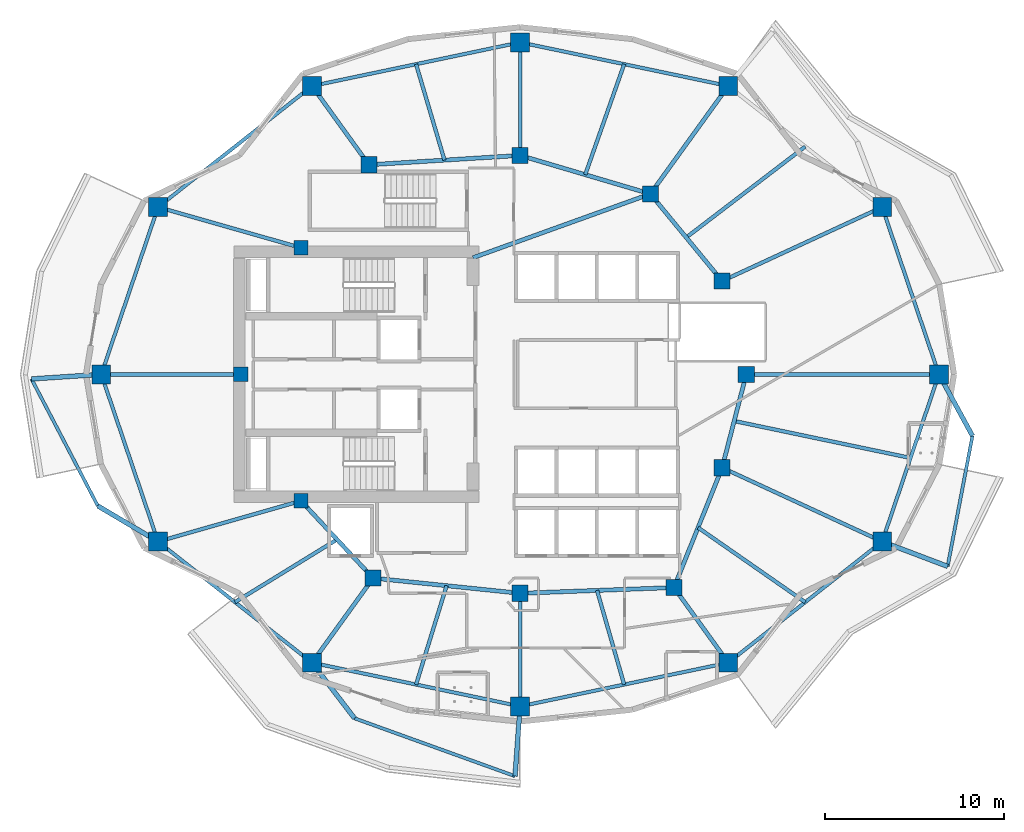
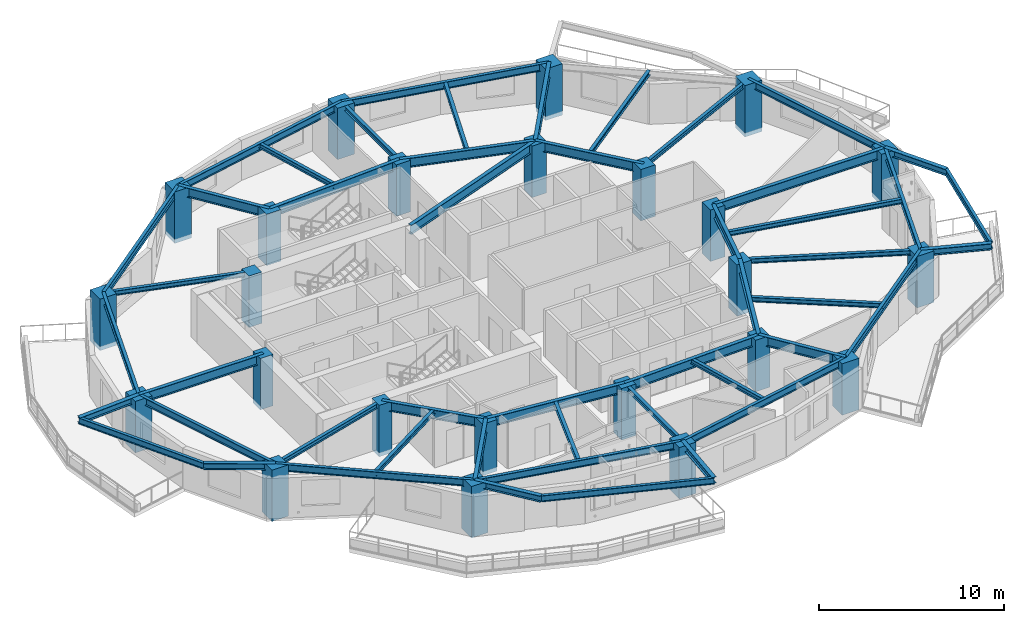
# One storey, part 1 of 14: 49 beams, 24 columns.
"""IFC4 building model written with IfcOpenShell, lengths in metres."""

from ifc_helpers import new_model, si_unit, direction, frame, origin, origin_2d, place, context, subcontext, project, spatial, rectangle, i_section, extrude, material, material_profile, profile_set, type_object, element, save


model = new_model("IFC4")

# Units and contexts
model_context = context("Model", 3, precision=1e-05, world=origin(), true_north=direction((0.0, 1.0)))
body_context = subcontext(model_context, "Body", "Model", "MODEL_VIEW")
ifc_project = project(units=[si_unit("LENGTHUNIT", "METRE"), si_unit("AREAUNIT", "SQUARE_METRE"), si_unit("VOLUMEUNIT", "CUBIC_METRE"), si_unit("PLANEANGLEUNIT", "RADIAN"), si_unit("MASSUNIT", "GRAM", prefix="KILO")], contexts=[model_context])

# Site, building, storey
site_placement = place(None, origin())
site = spatial("IfcSite", under=ifc_project, at=site_placement, CompositionType="ELEMENT")
building_placement = place(site_placement, origin())
building = spatial("IfcBuilding", under=site, at=building_placement, Name="Kolvaren Gate Tower and Convention Centre", CompositionType="ELEMENT")
storey_placement = place(building_placement, frame((0.0, 0.0, 105.300048828125)))
storey = spatial("IfcBuildingStorey", under=building, at=storey_placement, Name="L25", CompositionType="ELEMENT", Elevation=105.300048828125)

# Columns
ifc_material_1 = material(Name="Concrete C60/75", Category="concrete")
ifc_material_profile_1 = material_profile(ifc_material_1, rectangle(XDim=1.050048828125, YDim=1.050048828125, at=origin_2d()), Name="RC-COL-1050X1050")
ifc_profile_set_1 = profile_set([ifc_material_profile_1], Name="Concrete C60/75")
column_type_1 = type_object("IfcColumnType", Name="STR-COL-RC1050", PredefinedType="COLUMN", material=ifc_profile_set_1)
for number, where, z_axis, x_axis, name in (
    (1, (53.46240234375, 27.0, -0.27001953125), (0.0, 0.0, 1.0), (1.0, 0.0, 0.0), "Tower L25 Perimeter Supercolumn TP-01"),
    (2, (50.30029296875, 36.318603515625, -0.27001953125), (0.0, 0.0, 1.0), (1.0, 0.0, 0.0), "Tower L25 Perimeter Supercolumn TP-02"),
    (3, (41.721435546875, 43.068359375, -0.27001953125), (0.0, 0.0, 1.0), (1.0, 0.0, 0.0), "Tower L25 Perimeter Supercolumn TP-03"),
    (4, (30.125, 45.5, -0.27001953125), (0.0, 0.0, 1.0), (1.0, 0.0, 0.0), "Tower L25 Perimeter Supercolumn TP-04"),
    (5, (18.52880859375, 43.068359375, -0.27001953125), (0.0, 0.0, 1.0), (1.0, 0.0, 0.0), "Tower L25 Perimeter Supercolumn TP-05"),
    (6, (9.94970703125, 36.318603515625, -0.27001953125), (0.0, 0.0, 1.0), (1.0, 0.0, 0.0), "Tower L25 Perimeter Supercolumn TP-06"),
    (7, (6.78759765625, 27.0, -0.27001953125), (0.0, 0.0, 1.0), (1.0, 0.0, 0.0), "Tower L25 Perimeter Supercolumn TP-07"),
    (8, (9.94970703125, 17.681396484375, -0.27001953125), (0.0, 0.0, 1.0), (1.0, 0.0, 0.0), "Tower L25 Perimeter Supercolumn TP-08"),
    (9, (18.528564453125, 10.931640625, -0.27001953125), (0.0, 0.0, 1.0), (1.0, 0.0, 0.0), "Tower L25 Perimeter Supercolumn TP-09"),
    (10, (30.125, 8.5, -0.27001953125), (0.0, 0.0, 1.0), (1.0, 0.0, 0.0), "Tower L25 Perimeter Supercolumn TP-10"),
    (11, (41.721435546875, 10.931640625, -0.27001953125), (0.0, 0.0, 1.0), (1.0, 0.0, 0.0), "Tower L25 Perimeter Supercolumn TP-11"),
    (12, (50.30029296875, 17.681396484375, -0.27001953125), (0.0, 0.0, 1.0), (1.0, 0.0, 0.0), "Tower L25 Perimeter Supercolumn TP-12"),
):
    element("IfcColumn", number, at=place(storey_placement, frame(where, z_axis=z_axis, x_axis=x_axis)), inside=storey, type_object=column_type_1, Name=name, PredefinedType="COLUMN", context=body_context, shape_type="SweptSolid", body=[
        extrude(rectangle(XDim=1.050048828125, YDim=1.050048828125, at=origin_2d()), origin(), (0.0, 0.0, 1.0), 3.39990234375),
    ])
ifc_material_profile_2 = material_profile(ifc_material_1, rectangle(XDim=0.89990234375, YDim=0.89990234375, at=origin_2d()), Name="RC-COL-900X900")
ifc_profile_set_2 = profile_set([ifc_material_profile_2], Name="Concrete C60/75")
column_type_2 = type_object("IfcColumnType", Name="STR-COL-RC900", PredefinedType="COLUMN", material=ifc_profile_set_2)
for number, where, z_axis, x_axis, name in (
    (13, (42.72509765625, 27.0, -0.27001953125), (0.0, 0.0, 1.0), (1.0, 0.0, 0.0), "Tower L25 Interior Column TI-01"),
    (14, (41.382080078125, 32.199462890625, -0.27001953125), (0.0, 0.0, 1.0), (1.0, 0.0, 0.0), "Tower L25 Interior Column TI-02"),
    (15, (37.381591796875, 37.054931640625, -0.27001953125), (0.0, 0.0, 1.0), (1.0, 0.0, 0.0), "Tower L25 Interior Column TI-03"),
    (16, (30.125, 39.199951171875, -0.27001953125), (0.0, 0.0, 1.0), (1.0, 0.0, 0.0), "Tower L25 Interior Column TI-04"),
    (17, (21.697998046875, 38.6767578125, -0.27001953125), (0.0, 0.0, 1.0), (1.0, 0.0, 0.0), "Tower L25 Interior Column TI-05"),
    (18, (21.93212890625, 15.647705078125, -0.27001953125), (0.0, 0.0, 1.0), (1.0, 0.0, 0.0), "Tower L25 Interior Column TI-06"),
    (19, (30.125, 14.800048828125, -0.27001953125), (0.0, 0.0, 1.0), (1.0, 0.0, 0.0), "Tower L25 Interior Column TI-07"),
    (20, (38.6982421875, 15.12060546875, -0.27001953125), (0.0, 0.0, 1.0), (1.0, 0.0, 0.0), "Tower L25 Interior Column TI-08"),
    (21, (41.382080078125, 21.800537109375, -0.27001953125), (0.0, 0.0, 1.0), (1.0, 0.0, 0.0), "Tower L25 Interior Column TI-09"),
):
    element("IfcColumn", number, at=place(storey_placement, frame(where, z_axis=z_axis, x_axis=x_axis)), inside=storey, type_object=column_type_2, Name=name, PredefinedType="COLUMN", context=body_context, shape_type="SweptSolid", body=[
        extrude(rectangle(XDim=0.89990234375, YDim=0.89990234375, at=origin_2d()), origin(), (0.0, 0.0, 1.0), 3.39990234375),
    ])
ifc_material_profile_3 = material_profile(ifc_material_1, rectangle(XDim=0.800048828125, YDim=0.800048828125, at=origin_2d()), Name="RC-COL-800X800")
ifc_profile_set_3 = profile_set([ifc_material_profile_3], Name="Concrete C60/75")
column_type_3 = type_object("IfcColumnType", Name="STR-PIL-RC800", PredefinedType="PILASTER", material=ifc_profile_set_3)
for number, where, z_axis, x_axis, name in (
    (22, (17.9140625, 34.050048828125, -0.27001953125), (0.0, 0.0, 1.0), (1.0, 0.0, 0.0), "Tower L25 Core Boundary Pilaster TC-05"),
    (23, (14.550048828125, 27.0, -0.27001953125), (0.0, 0.0, 1.0), (1.0, 0.0, 0.0), "Tower L25 Core Boundary Pilaster TC-06"),
    (24, (17.9140625, 19.949951171875, -0.27001953125), (0.0, 0.0, 1.0), (1.0, 0.0, 0.0), "Tower L25 Core Boundary Pilaster TC-07"),
):
    element("IfcColumn", number, at=place(storey_placement, frame(where, z_axis=z_axis, x_axis=x_axis)), inside=storey, type_object=column_type_3, Name=name, PredefinedType="PILASTER", context=body_context, shape_type="SweptSolid", body=[
        extrude(rectangle(XDim=0.800048828125, YDim=0.800048828125, at=origin_2d()), origin(), (0.0, 0.0, 1.0), 3.39990234375),
    ])

# Beams
ifc_material_2 = material(Name="Structural steel ASTM A992 Grade 345 MPa", Category="steel")
ifc_material_profile_4 = material_profile(ifc_material_2, i_section(OverallWidth=0.260009765625, OverallDepth=0.419921875, WebThickness=0.013427734375, FlangeThickness=0.0224609375, at=origin_2d()), Name="W410X132")
ifc_profile_set_4 = profile_set([ifc_material_profile_4], Name="Structural steel ASTM A992 Grade 345 MPa")
beam_type_1 = type_object("IfcBeamType", Name="STR-BM-W410X132", PredefinedType="BEAM", material=ifc_profile_set_4)
for number, where, z_axis, x_axis, name in (
    (25, (6.78759765625, 27.0, 2.92041015625), (-0.997849773417, -0.06554257922, 0.0), (0.06554257922, -0.997849773417, 0.0), "Tower L26 Planted Balcony Outrigger Cantilever BC-2A"),
    (26, (9.94970703125, 17.681396484375, 2.92041015625), (-0.860390154059, 0.509635931621, 0.0), (-0.509635931621, -0.860390154059, 0.0), "Tower L26 Planted Balcony Outrigger Cantilever BC-2B"),
    (27, (18.528564453125, 10.931640625, 2.92041015625), (0.607684772981, -0.794178328014, 0.0), (0.794178328014, 0.607684772981, 0.0), "Tower L26 Planted Balcony Outrigger Cantilever BC-3A"),
    (28, (30.125, 8.5, 2.92041015625), (-0.072866291763, -0.997341718532, 0.0), (0.997341718532, -0.072866291763, 0.0), "Tower L26 Planted Balcony Outrigger Cantilever BC-3B"),
    (29, (50.30029296875, 17.681396484375, 2.92041015625), (0.935054778076, -0.354503260912, 0.0), (0.354503260912, 0.935054778076, 0.0), "Tower L26 Planted Balcony Outrigger Cantilever BC-4A"),
):
    element("IfcBeam", number, at=place(storey_placement, frame(where, z_axis=z_axis, x_axis=x_axis)), inside=storey, type_object=beam_type_1, Name=name, PredefinedType="BEAM", context=body_context, shape_type="SweptSolid", body=[
        extrude(i_section(OverallWidth=0.260009765625, OverallDepth=0.419921875, WebThickness=0.013427734375, FlangeThickness=0.0224609375, at=origin_2d()), origin(), (0.0, 0.0, 1.0), 3.89990234375),
    ])
beam_1_placement = place(storey_placement, frame((53.46240234375, 27.0, 2.92041015625), z_axis=(0.478878445754, -0.877881218726, 0.0), x_axis=(0.877881218726, 0.478878445754, 0.0)))
element("IfcBeam", 30, at=beam_1_placement, inside=storey, type_object=beam_type_1, Name="Tower L26 Planted Balcony Outrigger Cantilever BC-4B", PredefinedType="BEAM", context=body_context, shape_type="SweptSolid", body=[
    extrude(i_section(OverallWidth=0.260009765625, OverallDepth=0.419921875, WebThickness=0.013427734375, FlangeThickness=0.0224609375, at=origin_2d()), origin(), (0.0, 0.0, 1.0), 3.900146484375),
])
ifc_material_profile_5 = material_profile(ifc_material_2, i_section(OverallWidth=0.22998046875, OverallDepth=0.616943359375, WebThickness=0.01318359375, FlangeThickness=0.022216796875, at=origin_2d()), Name="W610X140")
ifc_profile_set_5 = profile_set([ifc_material_profile_5], Name="Structural steel ASTM A992 Grade 345 MPa")
beam_type_2 = type_object("IfcBeamType", Name="STR-BM-W610X140", PredefinedType="BEAM", material=ifc_profile_set_5)
beam_2_placement = place(storey_placement, frame((42.72509765625, 27.0, 2.821533203125), z_axis=(-0.250091133936, -0.968222301296, 0.0), x_axis=(0.968222301296, -0.250091133936, 0.0)))
element("IfcBeam", 31, at=beam_2_placement, inside=storey, type_object=beam_type_2, Name="Tower L25 Primary Ring Girder G-01", PredefinedType="BEAM", context=body_context, shape_type="SweptSolid", body=[
    extrude(i_section(OverallWidth=0.22998046875, OverallDepth=0.616943359375, WebThickness=0.01318359375, FlangeThickness=0.022216796875, at=origin_2d()), origin(), (0.0, 0.0, 1.0), 5.3701171875),
])
beam_3_placement = place(storey_placement, frame((41.382080078125, 32.199462890625, 2.821533203125), z_axis=(-0.635884066011, 0.771784590798, 0.0), x_axis=(-0.771784590798, -0.635884066011, 0.0)))
element("IfcBeam", 32, at=beam_3_placement, inside=storey, type_object=beam_type_2, Name="Tower L25 Primary Ring Girder G-02", PredefinedType="BEAM", context=body_context, shape_type="SweptSolid", body=[
    extrude(i_section(OverallWidth=0.22998046875, OverallDepth=0.616943359375, WebThickness=0.01318359375, FlangeThickness=0.022216796875, at=origin_2d()), origin(), (0.0, 0.0, 1.0), 6.291259765625),
])
beam_4_placement = place(storey_placement, frame((37.381591796875, 37.054931640625, 2.821533203125), z_axis=(-0.958980837827, 0.283470902706, 0.0), x_axis=(-0.283470902706, -0.958980837827, 0.0)))
element("IfcBeam", 33, at=beam_4_placement, inside=storey, type_object=beam_type_2, Name="Tower L25 Primary Ring Girder G-03", PredefinedType="BEAM", context=body_context, shape_type="SweptSolid", body=[
    extrude(i_section(OverallWidth=0.22998046875, OverallDepth=0.616943359375, WebThickness=0.01318359375, FlangeThickness=0.022216796875, at=origin_2d()), origin(), (0.0, 0.0, 1.0), 7.56689453125),
])
beam_5_placement = place(storey_placement, frame((30.125, 39.199951171875, 2.821533203125), z_axis=(-0.998078258568, -0.06196603726, 0.0), x_axis=(0.06196603726, -0.998078258568, 0.0)))
element("IfcBeam", 34, at=beam_5_placement, inside=storey, type_object=beam_type_2, Name="Tower L25 Primary Ring Girder G-04", PredefinedType="BEAM", context=body_context, shape_type="SweptSolid", body=[
    extrude(i_section(OverallWidth=0.22998046875, OverallDepth=0.616943359375, WebThickness=0.01318359375, FlangeThickness=0.022216796875, at=origin_2d()), origin(), (0.0, 0.0, 1.0), 8.443115234375),
])
beam_6_placement = place(storey_placement, frame((17.9140625, 19.949951171875, 2.821533203125), z_axis=(0.682557592987, -0.730831808459, 0.0), x_axis=(0.730831808459, 0.682557592987, 0.0)))
element("IfcBeam", 35, at=beam_6_placement, inside=storey, type_object=beam_type_2, Name="Tower L25 Primary Ring Girder G-06", PredefinedType="BEAM", context=body_context, shape_type="SweptSolid", body=[
    extrude(i_section(OverallWidth=0.22998046875, OverallDepth=0.616943359375, WebThickness=0.01318359375, FlangeThickness=0.022216796875, at=origin_2d()), origin(), (0.0, 0.0, 1.0), 5.88671875),
])
beam_7_placement = place(storey_placement, frame((21.93212890625, 15.647705078125, 2.821533203125), z_axis=(0.994690329115, -0.102913308978, 0.0), x_axis=(0.102913308978, 0.994690329115, 0.0)))
element("IfcBeam", 36, at=beam_7_placement, inside=storey, type_object=beam_type_2, Name="Tower L25 Primary Ring Girder G-07", PredefinedType="BEAM", context=body_context, shape_type="SweptSolid", body=[
    extrude(i_section(OverallWidth=0.22998046875, OverallDepth=0.616943359375, WebThickness=0.01318359375, FlangeThickness=0.022216796875, at=origin_2d()), origin(), (0.0, 0.0, 1.0), 8.236572265625),
])
beam_8_placement = place(storey_placement, frame((30.125, 14.800048828125, 2.821533203125), z_axis=(0.999301712453, 0.037364254142, 0.0), x_axis=(-0.037364254142, 0.999301712453, 0.0)))
element("IfcBeam", 37, at=beam_8_placement, inside=storey, type_object=beam_type_2, Name="Tower L25 Primary Ring Girder G-08", PredefinedType="BEAM", context=body_context, shape_type="SweptSolid", body=[
    extrude(i_section(OverallWidth=0.22998046875, OverallDepth=0.616943359375, WebThickness=0.01318359375, FlangeThickness=0.022216796875, at=origin_2d()), origin(), (0.0, 0.0, 1.0), 8.579345703125),
])
beam_9_placement = place(storey_placement, frame((38.6982421875, 15.12060546875, 2.821533203125), z_axis=(0.372811100169, 0.927907260232, 0.0), x_axis=(-0.927907260232, 0.372811100169, 0.0)))
element("IfcBeam", 38, at=beam_9_placement, inside=storey, type_object=beam_type_2, Name="Tower L25 Primary Ring Girder G-09", PredefinedType="BEAM", context=body_context, shape_type="SweptSolid", body=[
    extrude(i_section(OverallWidth=0.22998046875, OverallDepth=0.616943359375, WebThickness=0.01318359375, FlangeThickness=0.022216796875, at=origin_2d()), origin(), (0.0, 0.0, 1.0), 7.198974609375),
])
beam_10_placement = place(storey_placement, frame((27.5, 33.5, 2.821533203125), z_axis=(0.940961479908, 0.338513653093, 0.0), x_axis=(-0.338513653093, 0.940961479908, 0.0)))
element("IfcBeam", 39, at=beam_10_placement, inside=storey, type_object=beam_type_2, Name="Tower L25 Primary Ring Girder G-10", PredefinedType="BEAM", context=body_context, shape_type="SweptSolid", body=[
    extrude(i_section(OverallWidth=0.22998046875, OverallDepth=0.616943359375, WebThickness=0.01318359375, FlangeThickness=0.022216796875, at=origin_2d()), origin(), (0.0, 0.0, 1.0), 10.501708984375),
])
beam_11_placement = place(storey_placement, frame((42.72509765625, 27.0, 2.821533203125), z_axis=(1.0, 0.0, 0.0), x_axis=(0.0, 1.0, 0.0)))
element("IfcBeam", 40, at=beam_11_placement, inside=storey, type_object=beam_type_2, Name="Tower L25 Radial Floor Girder RB-01", PredefinedType="BEAM", context=body_context, shape_type="SweptSolid", body=[
    extrude(i_section(OverallWidth=0.22998046875, OverallDepth=0.616943359375, WebThickness=0.01318359375, FlangeThickness=0.022216796875, at=origin_2d()), origin(), (0.0, 0.0, 1.0), 10.7373046875),
])
beam_12_placement = place(storey_placement, frame((37.381591796875, 37.054931640625, 2.821533203125), z_axis=(0.585208050015, 0.810883184064, 0.0), x_axis=(-0.810883184064, 0.585208050015, 0.0)))
element("IfcBeam", 41, at=beam_12_placement, inside=storey, type_object=beam_type_2, Name="Tower L25 Radial Floor Girder RB-03", PredefinedType="BEAM", context=body_context, shape_type="SweptSolid", body=[
    extrude(i_section(OverallWidth=0.22998046875, OverallDepth=0.616943359375, WebThickness=0.01318359375, FlangeThickness=0.022216796875, at=origin_2d()), origin(), (0.0, 0.0, 1.0), 7.416015625),
])
beam_13_placement = place(storey_placement, frame((21.697998046875, 38.6767578125, 2.821533203125), z_axis=(-0.585184369967, 0.810900273243, 0.0), x_axis=(-0.810900273243, -0.585184369967, 0.0)))
element("IfcBeam", 42, at=beam_13_placement, inside=storey, type_object=beam_type_2, Name="Tower L25 Radial Floor Girder RB-05", PredefinedType="BEAM", context=body_context, shape_type="SweptSolid", body=[
    extrude(i_section(OverallWidth=0.22998046875, OverallDepth=0.616943359375, WebThickness=0.01318359375, FlangeThickness=0.022216796875, at=origin_2d()), origin(), (0.0, 0.0, 1.0), 5.415771484375),
])
beam_14_placement = place(storey_placement, frame((14.550048828125, 27.0, 2.821533203125), z_axis=(-1.0, 0.0, 0.0), x_axis=(0.0, -1.0, 0.0)))
element("IfcBeam", 43, at=beam_14_placement, inside=storey, type_object=beam_type_2, Name="Tower L25 Radial Floor Girder RB-07", PredefinedType="BEAM", context=body_context, shape_type="SweptSolid", body=[
    extrude(i_section(OverallWidth=0.22998046875, OverallDepth=0.616943359375, WebThickness=0.01318359375, FlangeThickness=0.022216796875, at=origin_2d()), origin(), (0.0, 0.0, 1.0), 7.762451171875),
])
beam_15_placement = place(storey_placement, frame((21.93212890625, 15.647705078125, 2.821533203125), z_axis=(-0.585210043569, -0.810881745328, 0.0), x_axis=(0.810881745328, -0.585210043569, 0.0)))
element("IfcBeam", 44, at=beam_15_placement, inside=storey, type_object=beam_type_2, Name="Tower L25 Radial Floor Girder RB-09", PredefinedType="BEAM", context=body_context, shape_type="SweptSolid", body=[
    extrude(i_section(OverallWidth=0.22998046875, OverallDepth=0.616943359375, WebThickness=0.01318359375, FlangeThickness=0.022216796875, at=origin_2d()), origin(), (0.0, 0.0, 1.0), 5.81591796875),
])
beam_16_placement = place(storey_placement, frame((38.6982421875, 15.12060546875, 2.821533203125), z_axis=(0.585214440031, -0.810878572401, 0.0), x_axis=(0.810878572401, 0.585214440031, 0.0)))
element("IfcBeam", 45, at=beam_16_placement, inside=storey, type_object=beam_type_2, Name="Tower L25 Radial Floor Girder RB-11", PredefinedType="BEAM", context=body_context, shape_type="SweptSolid", body=[
    extrude(i_section(OverallWidth=0.22998046875, OverallDepth=0.616943359375, WebThickness=0.01318359375, FlangeThickness=0.022216796875, at=origin_2d()), origin(), (0.0, 0.0, 1.0), 5.166015625),
])
ifc_material_profile_6 = material_profile(ifc_material_2, i_section(OverallWidth=0.205078125, OverallDepth=0.31005859375, WebThickness=0.009521484375, FlangeThickness=0.016357421875, at=origin_2d()), Name="W310X74")
ifc_profile_set_6 = profile_set([ifc_material_profile_6], Name="Structural steel ASTM A992 Grade 345 MPa")
beam_type_3 = type_object("IfcBeamType", Name="STR-JS-W310X74", PredefinedType="JOIST", material=ifc_profile_set_6)
beam_17_placement = place(storey_placement, frame((41.382080078125, 32.199462890625, 2.974853515625), z_axis=(0.907841510795, 0.419313476146, 0.0), x_axis=(-0.419313476146, 0.907841510795, 0.0)))
element("IfcBeam", 46, at=beam_17_placement, inside=storey, type_object=beam_type_3, Name="Tower L25 Radial Floor Girder RB-02", PredefinedType="JOIST", context=body_context, shape_type="SweptSolid", body=[
    extrude(i_section(OverallWidth=0.205078125, OverallDepth=0.31005859375, WebThickness=0.009521484375, FlangeThickness=0.016357421875, at=origin_2d()), origin(), (0.0, 0.0, 1.0), 9.823486328125),
])
beam_18_placement = place(storey_placement, frame((30.125, 39.199951171875, 2.974853515625), z_axis=(0.0, 1.0, 0.0), x_axis=(-1.0, 0.0, 0.0)))
element("IfcBeam", 47, at=beam_18_placement, inside=storey, type_object=beam_type_3, Name="Tower L25 Radial Floor Girder RB-04", PredefinedType="JOIST", context=body_context, shape_type="SweptSolid", body=[
    extrude(i_section(OverallWidth=0.205078125, OverallDepth=0.31005859375, WebThickness=0.009521484375, FlangeThickness=0.016357421875, at=origin_2d()), origin(), (0.0, 0.0, 1.0), 6.300048828125),
])
for number, where, z_axis, x_axis, name in (
    (48, (17.9140625, 34.050048828125, 2.974853515625), (-0.961746134311, 0.27394228067, 0.0), (-0.27394228067, -0.961746134311, 0.0), "Tower L25 Radial Floor Girder RB-06"),
    (49, (17.9140625, 19.949951171875, 2.974853515625), (-0.961746134311, -0.27394228067, 0.0), (0.27394228067, -0.961746134311, 0.0), "Tower L25 Radial Floor Girder RB-08"),
):
    element("IfcBeam", number, at=place(storey_placement, frame(where, z_axis=z_axis, x_axis=x_axis)), inside=storey, type_object=beam_type_3, Name=name, PredefinedType="JOIST", context=body_context, shape_type="SweptSolid", body=[
        extrude(i_section(OverallWidth=0.205078125, OverallDepth=0.31005859375, WebThickness=0.009521484375, FlangeThickness=0.016357421875, at=origin_2d()), origin(), (0.0, 0.0, 1.0), 8.28125),
    ])
beam_19_placement = place(storey_placement, frame((30.125, 14.800048828125, 2.974853515625), z_axis=(0.0, -1.0, 0.0), x_axis=(1.0, 0.0, 0.0)))
element("IfcBeam", 50, at=beam_19_placement, inside=storey, type_object=beam_type_3, Name="Tower L25 Radial Floor Girder RB-10", PredefinedType="JOIST", context=body_context, shape_type="SweptSolid", body=[
    extrude(i_section(OverallWidth=0.205078125, OverallDepth=0.31005859375, WebThickness=0.009521484375, FlangeThickness=0.016357421875, at=origin_2d()), origin(), (0.0, 0.0, 1.0), 6.300048828125),
])
beam_20_placement = place(storey_placement, frame((41.382080078125, 21.800537109375, 2.974853515625), z_axis=(0.907841510795, -0.419313476146, 0.0), x_axis=(0.419313476146, 0.907841510795, 0.0)))
element("IfcBeam", 51, at=beam_20_placement, inside=storey, type_object=beam_type_3, Name="Tower L25 Radial Floor Girder RB-12", PredefinedType="JOIST", context=body_context, shape_type="SweptSolid", body=[
    extrude(i_section(OverallWidth=0.205078125, OverallDepth=0.31005859375, WebThickness=0.009521484375, FlangeThickness=0.016357421875, at=origin_2d()), origin(), (0.0, 0.0, 1.0), 9.823486328125),
])
beam_21_placement = place(storey_placement, frame((39.3818359375, 34.627197265625, 2.974853515625), z_axis=(0.79454218325, 0.607208958297, 0.0), x_axis=(-0.607208958297, 0.79454218325, 0.0)))
element("IfcBeam", 52, at=beam_21_placement, inside=storey, type_object=beam_type_3, Name="Tower L25 Secondary Composite Floor Joist J-02.1", PredefinedType="JOIST", context=body_context, shape_type="SweptSolid", body=[
    extrude(i_section(OverallWidth=0.205078125, OverallDepth=0.31005859375, WebThickness=0.009521484375, FlangeThickness=0.016357421875, at=origin_2d()), origin(), (0.0, 0.0, 1.0), 8.34326171875),
])
beam_22_placement = place(storey_placement, frame((33.75341796875, 38.12744140625, 2.974853515625), z_axis=(0.332372088023, 0.943148342046, 0.0), x_axis=(-0.943148342046, 0.332372088023, 0.0)))
element("IfcBeam", 53, at=beam_22_placement, inside=storey, type_object=beam_type_3, Name="Tower L25 Secondary Composite Floor Joist J-03.1", PredefinedType="JOIST", context=body_context, shape_type="SweptSolid", body=[
    extrude(i_section(OverallWidth=0.205078125, OverallDepth=0.31005859375, WebThickness=0.009521484375, FlangeThickness=0.016357421875, at=origin_2d()), origin(), (0.0, 0.0, 1.0), 6.52783203125),
])
beam_23_placement = place(storey_placement, frame((25.91162109375, 38.938232421875, 2.974853515625), z_axis=(-0.284209081553, 0.958762326107, 0.0), x_axis=(-0.958762326107, -0.284209081553, 0.0)))
element("IfcBeam", 54, at=beam_23_placement, inside=storey, type_object=beam_type_3, Name="Tower L25 Secondary Composite Floor Joist J-04.1", PredefinedType="JOIST", context=body_context, shape_type="SweptSolid", body=[
    extrude(i_section(OverallWidth=0.205078125, OverallDepth=0.31005859375, WebThickness=0.009521484375, FlangeThickness=0.016357421875, at=origin_2d()), origin(), (0.0, 0.0, 1.0), 5.575927734375),
])
beam_24_placement = place(storey_placement, frame((19.923095703125, 17.798828125, 2.974853515625), z_axis=(-0.852013723702, -0.523519450091, 0.0), x_axis=(0.523519450091, -0.852013723702, 0.0)))
element("IfcBeam", 55, at=beam_24_placement, inside=storey, type_object=beam_type_3, Name="Tower L25 Secondary Composite Floor Joist J-08.1", PredefinedType="JOIST", context=body_context, shape_type="SweptSolid", body=[
    extrude(i_section(OverallWidth=0.205078125, OverallDepth=0.31005859375, WebThickness=0.009521484375, FlangeThickness=0.016357421875, at=origin_2d()), origin(), (0.0, 0.0, 1.0), 6.671142578125),
])
beam_25_placement = place(storey_placement, frame((26.028564453125, 15.223876953125, 2.974853515625), z_axis=(-0.295174836894, -0.95544325612, 0.0), x_axis=(0.95544325612, -0.295174836894, 0.0)))
element("IfcBeam", 56, at=beam_25_placement, inside=storey, type_object=beam_type_3, Name="Tower L25 Secondary Composite Floor Joist J-09.1", PredefinedType="JOIST", context=body_context, shape_type="SweptSolid", body=[
    extrude(i_section(OverallWidth=0.205078125, OverallDepth=0.31005859375, WebThickness=0.009521484375, FlangeThickness=0.016357421875, at=origin_2d()), origin(), (0.0, 0.0, 1.0), 5.764892578125),
])
beam_26_placement = place(storey_placement, frame((34.41162109375, 14.960205078125, 2.974853515625), z_axis=(0.27693589933, -0.960888395009, 0.0), x_axis=(0.960888395009, 0.27693589933, 0.0)))
element("IfcBeam", 57, at=beam_26_placement, inside=storey, type_object=beam_type_3, Name="Tower L25 Secondary Composite Floor Joist J-10.1", PredefinedType="JOIST", context=body_context, shape_type="SweptSolid", body=[
    extrude(i_section(OverallWidth=0.205078125, OverallDepth=0.31005859375, WebThickness=0.009521484375, FlangeThickness=0.016357421875, at=origin_2d()), origin(), (0.0, 0.0, 1.0), 5.457763671875),
])
beam_27_placement = place(storey_placement, frame((40.040283203125, 18.46044921875, 2.974853515625), z_axis=(0.820871677882, -0.571112675792, 0.0), x_axis=(0.571112675792, 0.820871677882, 0.0)))
element("IfcBeam", 58, at=beam_27_placement, inside=storey, type_object=beam_type_3, Name="Tower L25 Secondary Composite Floor Joist J-11.1", PredefinedType="JOIST", context=body_context, shape_type="SweptSolid", body=[
    extrude(i_section(OverallWidth=0.205078125, OverallDepth=0.31005859375, WebThickness=0.009521484375, FlangeThickness=0.016357421875, at=origin_2d()), origin(), (0.0, 0.0, 1.0), 7.273681640625),
])
beam_28_placement = place(storey_placement, frame((42.0537109375, 24.400146484375, 2.974853515625), z_axis=(0.978743091795, -0.205090127175, 0.0), x_axis=(0.205090127175, 0.978743091795, 0.0)))
element("IfcBeam", 59, at=beam_28_placement, inside=storey, type_object=beam_type_3, Name="Tower L25 Secondary Composite Floor Joist J-12.1", PredefinedType="JOIST", context=body_context, shape_type="SweptSolid", body=[
    extrude(i_section(OverallWidth=0.205078125, OverallDepth=0.31005859375, WebThickness=0.009521484375, FlangeThickness=0.016357421875, at=origin_2d()), origin(), (0.0, 0.0, 1.0), 10.041015625),
])
ifc_material_profile_7 = material_profile(ifc_material_2, i_section(OverallWidth=0.180908203125, OverallDepth=0.4169921875, WebThickness=0.010986328125, FlangeThickness=0.018310546875, at=origin_2d()), Name="W410X85")
ifc_profile_set_7 = profile_set([ifc_material_profile_7], Name="Structural steel ASTM A992 Grade 345 MPa")
beam_type_4 = type_object("IfcBeamType", Name="STR-SP-W410X85", PredefinedType="SPANDREL", material=ifc_profile_set_7)
beam_29_placement = place(storey_placement, frame((2.89599609375, 26.744384765625, 2.921875), z_axis=(0.463226370738, -0.886239995403, 0.0), x_axis=(0.886239995403, 0.463226370738, 0.0)))
element("IfcBeam", 60, at=beam_29_placement, inside=storey, type_object=beam_type_4, Name="Tower L26 Planted Balcony Header Tie Beam BT-2", PredefinedType="SPANDREL", context=body_context, shape_type="SweptSolid", body=[
    extrude(i_section(OverallWidth=0.180908203125, OverallDepth=0.4169921875, WebThickness=0.010986328125, FlangeThickness=0.018310546875, at=origin_2d()), origin(), (0.0, 0.0, 1.0), 7.983642578125),
])
beam_30_placement = place(storey_placement, frame((20.8984375, 7.83447265625, 2.921875), z_axis=(0.940724254556, -0.339172340987, 0.0), x_axis=(0.339172340987, 0.940724254556, 0.0)))
element("IfcBeam", 61, at=beam_30_placement, inside=storey, type_object=beam_type_4, Name="Tower L26 Planted Balcony Header Tie Beam BT-3", PredefinedType="SPANDREL", context=body_context, shape_type="SweptSolid", body=[
    extrude(i_section(OverallWidth=0.180908203125, OverallDepth=0.4169921875, WebThickness=0.010986328125, FlangeThickness=0.018310546875, at=origin_2d()), origin(), (0.0, 0.0, 1.0), 9.505859375),
])
beam_31_placement = place(storey_placement, frame((53.947021484375, 16.298828125, 2.921875), z_axis=(0.186707724087, 0.982415505663, 0.0), x_axis=(-0.982415505663, 0.186707724087, 0.0)))
element("IfcBeam", 62, at=beam_31_placement, inside=storey, type_object=beam_type_4, Name="Tower L26 Planted Balcony Header Tie Beam BT-4", PredefinedType="SPANDREL", context=body_context, shape_type="SweptSolid", body=[
    extrude(i_section(OverallWidth=0.180908203125, OverallDepth=0.4169921875, WebThickness=0.010986328125, FlangeThickness=0.018310546875, at=origin_2d()), origin(), (0.0, 0.0, 1.0), 7.40771484375),
])
ifc_material_profile_8 = material_profile(ifc_material_2, i_section(OverallWidth=0.194091796875, OverallDepth=0.468994140625, WebThickness=0.0126953125, FlangeThickness=0.0205078125, at=origin_2d()), Name="W460X106")
ifc_profile_set_8 = profile_set([ifc_material_profile_8], Name="Structural steel ASTM A992 Grade 345 MPa")
beam_type_5 = type_object("IfcBeamType", Name="STR-SP-W460X106", PredefinedType="SPANDREL", material=ifc_profile_set_8)
beam_32_placement = place(storey_placement, frame((53.46240234375, 27.0, 2.8955078125), z_axis=(-0.321336471485, 0.946965084939, 0.0), x_axis=(-0.946965084939, -0.321336471485, 0.0)))
element("IfcBeam", 63, at=beam_32_placement, inside=storey, type_object=beam_type_5, Name="Tower L25 Perimeter Spandrel Beam SP-01", PredefinedType="SPANDREL", context=body_context, shape_type="SweptSolid", body=[
    extrude(i_section(OverallWidth=0.194091796875, OverallDepth=0.468994140625, WebThickness=0.0126953125, FlangeThickness=0.0205078125, at=origin_2d()), origin(), (0.0, 0.0, 1.0), 9.840576171875),
])
beam_33_placement = place(storey_placement, frame((41.721435546875, 43.068359375, 2.8955078125), z_axis=(-0.978714746947, 0.205225349578, 0.0), x_axis=(-0.205225349578, -0.978714746947, 0.0)))
element("IfcBeam", 64, at=beam_33_placement, inside=storey, type_object=beam_type_5, Name="Tower L25 Perimeter Spandrel Beam SP-03", PredefinedType="SPANDREL", context=body_context, shape_type="SweptSolid", body=[
    extrude(i_section(OverallWidth=0.194091796875, OverallDepth=0.468994140625, WebThickness=0.0126953125, FlangeThickness=0.0205078125, at=origin_2d()), origin(), (0.0, 0.0, 1.0), 11.8486328125),
])
beam_34_placement = place(storey_placement, frame((30.125, 45.5, 2.8955078125), z_axis=(-0.978713879092, -0.20522948831, 0.0), x_axis=(0.20522948831, -0.978713879092, 0.0)))
element("IfcBeam", 65, at=beam_34_placement, inside=storey, type_object=beam_type_5, Name="Tower L25 Perimeter Spandrel Beam SP-04", PredefinedType="SPANDREL", context=body_context, shape_type="SweptSolid", body=[
    extrude(i_section(OverallWidth=0.194091796875, OverallDepth=0.468994140625, WebThickness=0.0126953125, FlangeThickness=0.0205078125, at=origin_2d()), origin(), (0.0, 0.0, 1.0), 11.848388671875),
])
beam_35_placement = place(storey_placement, frame((18.52880859375, 43.068359375, 2.8955078125), z_axis=(-0.785916161629, -0.61833307116, 0.0), x_axis=(0.61833307116, -0.785916161629, 0.0)))
element("IfcBeam", 66, at=beam_35_placement, inside=storey, type_object=beam_type_5, Name="Tower L25 Perimeter Spandrel Beam SP-05", PredefinedType="SPANDREL", context=body_context, shape_type="SweptSolid", body=[
    extrude(i_section(OverallWidth=0.194091796875, OverallDepth=0.468994140625, WebThickness=0.0126953125, FlangeThickness=0.0205078125, at=origin_2d()), origin(), (0.0, 0.0, 1.0), 10.916015625),
])
for number, where, z_axis, x_axis, name in (
    (67, (9.94970703125, 36.318603515625, 2.8955078125), (-0.321336471485, -0.946965084939, 0.0), (0.946965084939, -0.321336471485, 0.0), "Tower L25 Perimeter Spandrel Beam SP-06"),
    (68, (6.78759765625, 27.0, 2.8955078125), (0.321336471485, -0.946965084939, 0.0), (0.946965084939, 0.321336471485, 0.0), "Tower L25 Perimeter Spandrel Beam SP-07"),
):
    element("IfcBeam", number, at=place(storey_placement, frame(where, z_axis=z_axis, x_axis=x_axis)), inside=storey, type_object=beam_type_5, Name=name, PredefinedType="SPANDREL", context=body_context, shape_type="SweptSolid", body=[
        extrude(i_section(OverallWidth=0.194091796875, OverallDepth=0.468994140625, WebThickness=0.0126953125, FlangeThickness=0.0205078125, at=origin_2d()), origin(), (0.0, 0.0, 1.0), 9.840576171875),
    ])
beam_36_placement = place(storey_placement, frame((9.94970703125, 17.681396484375, 2.8955078125), z_axis=(0.785907610354, -0.618343939881, 0.0), x_axis=(0.618343939881, 0.785907610354, 0.0)))
element("IfcBeam", 69, at=beam_36_placement, inside=storey, type_object=beam_type_5, Name="Tower L25 Perimeter Spandrel Beam SP-08", PredefinedType="SPANDREL", context=body_context, shape_type="SweptSolid", body=[
    extrude(i_section(OverallWidth=0.194091796875, OverallDepth=0.468994140625, WebThickness=0.0126953125, FlangeThickness=0.0205078125, at=origin_2d()), origin(), (0.0, 0.0, 1.0), 10.915771484375),
])
for number, where, z_axis, x_axis, name in (
    (70, (18.528564453125, 10.931640625, 2.8955078125), (0.978714746947, -0.205225349578, 0.0), (0.205225349578, 0.978714746947, 0.0), "Tower L25 Perimeter Spandrel Beam SP-09"),
    (71, (30.125, 8.5, 2.8955078125), (0.978714746947, 0.205225349578, 0.0), (-0.205225349578, 0.978714746947, 0.0), "Tower L25 Perimeter Spandrel Beam SP-10"),
):
    element("IfcBeam", number, at=place(storey_placement, frame(where, z_axis=z_axis, x_axis=x_axis)), inside=storey, type_object=beam_type_5, Name=name, PredefinedType="SPANDREL", context=body_context, shape_type="SweptSolid", body=[
        extrude(i_section(OverallWidth=0.194091796875, OverallDepth=0.468994140625, WebThickness=0.0126953125, FlangeThickness=0.0205078125, at=origin_2d()), origin(), (0.0, 0.0, 1.0), 11.8486328125),
    ])
beam_37_placement = place(storey_placement, frame((41.721435546875, 10.931640625, 2.8955078125), z_axis=(0.785907610354, 0.618343939881, 0.0), x_axis=(-0.618343939881, 0.785907610354, 0.0)))
element("IfcBeam", 72, at=beam_37_placement, inside=storey, type_object=beam_type_5, Name="Tower L25 Perimeter Spandrel Beam SP-11", PredefinedType="SPANDREL", context=body_context, shape_type="SweptSolid", body=[
    extrude(i_section(OverallWidth=0.194091796875, OverallDepth=0.468994140625, WebThickness=0.0126953125, FlangeThickness=0.0205078125, at=origin_2d()), origin(), (0.0, 0.0, 1.0), 10.915771484375),
])
beam_38_placement = place(storey_placement, frame((50.30029296875, 17.681396484375, 2.8955078125), z_axis=(0.321336471485, 0.946965084939, 0.0), x_axis=(-0.946965084939, 0.321336471485, 0.0)))
element("IfcBeam", 73, at=beam_38_placement, inside=storey, type_object=beam_type_5, Name="Tower L25 Perimeter Spandrel Beam SP-12", PredefinedType="SPANDREL", context=body_context, shape_type="SweptSolid", body=[
    extrude(i_section(OverallWidth=0.194091796875, OverallDepth=0.468994140625, WebThickness=0.0126953125, FlangeThickness=0.0205078125, at=origin_2d()), origin(), (0.0, 0.0, 1.0), 9.840576171875),
])

save(model, "model.ifc")
